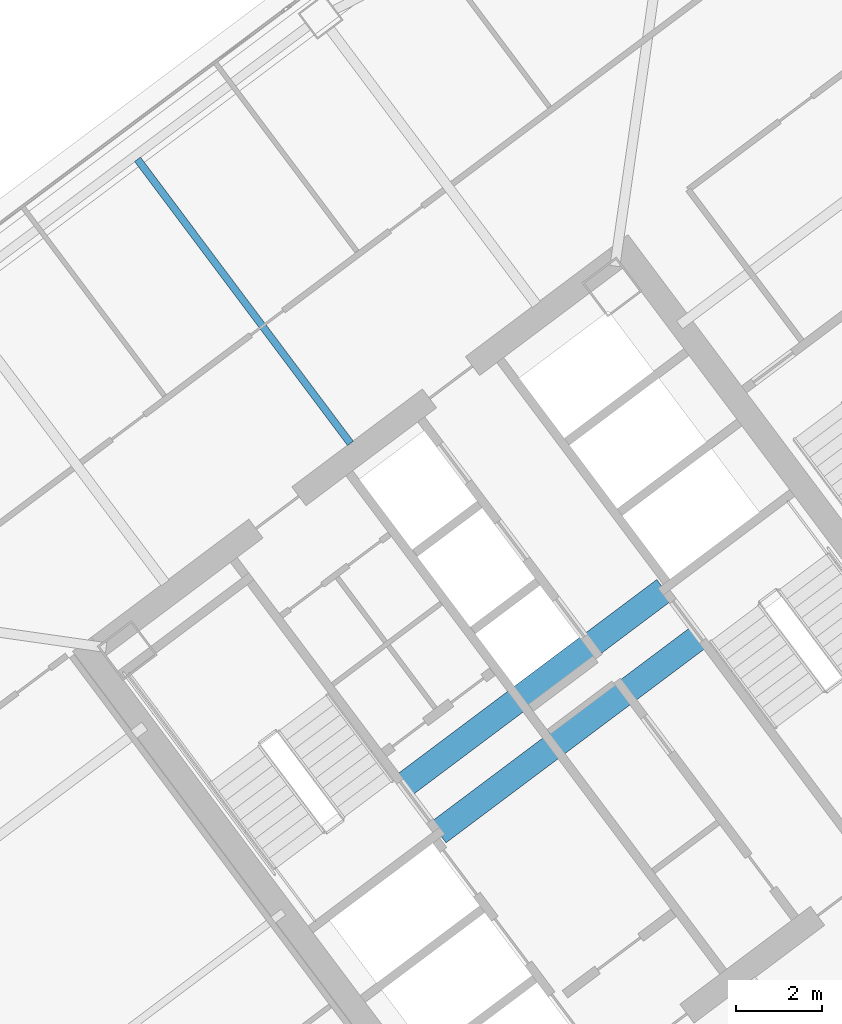
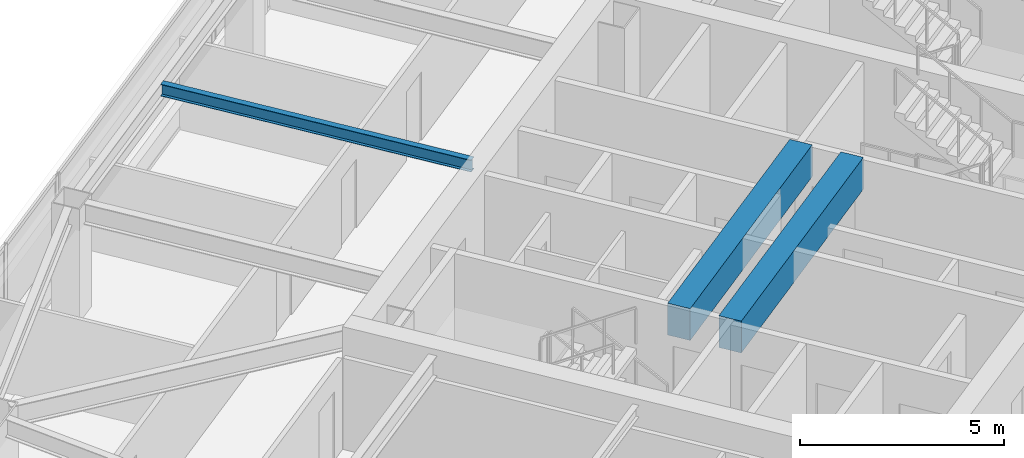
# One storey, part 23 of 43: 3 beams.
"""IFC4 building model written with IfcOpenShell, lengths in metres."""

from ifc_helpers import new_model, si_unit, direction, frame, origin, origin_2d, place, context, subcontext, project, spatial, rectangle, i_section, extrude, material, material_profile, profile_set, type_object, element, save


model = new_model("IFC4")

# Units and contexts
model_context = context("Model", 3, precision=1e-05, world=origin(), true_north=direction((0.0, 1.0)))
body_context = subcontext(model_context, "Body", "Model", "MODEL_VIEW")
ifc_project = project(units=[si_unit("LENGTHUNIT", "METRE"), si_unit("AREAUNIT", "SQUARE_METRE"), si_unit("VOLUMEUNIT", "CUBIC_METRE"), si_unit("PLANEANGLEUNIT", "RADIAN"), si_unit("MASSUNIT", "GRAM", prefix="KILO")], contexts=[model_context])

# Site, building, storey
site_placement = place(None, origin())
site = spatial("IfcSite", under=ifc_project, at=site_placement, CompositionType="ELEMENT")
building_placement = place(site_placement, origin())
building = spatial("IfcBuilding", under=site, at=building_placement, Name="Tashvorn Skyway Center", CompositionType="ELEMENT")
storey_placement = place(building_placement, frame((0.0, 0.0, 160.550048828125)))
storey = spatial("IfcBuildingStorey", under=building, at=storey_placement, Name="L43", CompositionType="ELEMENT", Elevation=160.550048828125)

# Beams
ifc_material_1 = material(Name="Steel ASTM A992 Grade 50", Category="steel")
ifc_material_profile_1 = material_profile(ifc_material_1, i_section(OverallWidth=0.1708984375, OverallDepth=0.35498046875, WebThickness=0.007080078125, FlangeThickness=0.01171875, at=origin_2d()), Name="W14X34")
ifc_profile_set_1 = profile_set([ifc_material_profile_1], Name="Steel ASTM A992 Grade 50")
beam_type_1 = type_object("IfcBeamType", Name="BM-JOIST-W14X34", PredefinedType="JOIST", material=ifc_profile_set_1)
beam_placement = place(storey_placement, frame((109.325927734375, 38.23193359375, 3.1923828125), z_axis=(-0.59999527236, 0.800003545708, 0.0), x_axis=(-0.800003545708, -0.59999527236, 0.0)))
element("IfcBeam", 1, at=beam_placement, inside=storey, type_object=beam_type_1, Name="Tower 2 L43 Secondary Composite Joist JN", PredefinedType="JOIST", context=body_context, shape_type="SweptSolid", body=[
    extrude(i_section(OverallWidth=0.1708984375, OverallDepth=0.35498046875, WebThickness=0.007080078125, FlangeThickness=0.01171875, at=origin_2d()), origin(), (0.0, 0.0, 1.0), 8.2626953125),
])
ifc_material_2 = material(Name="Concrete C60/75", Category="concrete")
ifc_material_profile_2 = material_profile(ifc_material_2, rectangle(XDim=0.60009765625, YDim=0.949951171875, at=origin_2d()), Name="RCB600x950")
ifc_profile_set_2 = profile_set([ifc_material_profile_2], Name="Concrete C60/75")
beam_type_2 = type_object("IfcBeamType", Name="BM-LINTEL-RCB600x950", PredefinedType="LINTEL", material=ifc_profile_set_2)
for number, where, z_axis, x_axis, name in (
    (2, (110.552001953125, 30.263916015625, 2.89501953125), (0.8, 0.6, 0.0), (-0.6, 0.8, 0.0), "Tower 2 L43 Core Coupling Beam CN"),
    (3, (111.367919921875, 29.176025390625, 2.89501953125), (0.8, 0.6, 0.0), (-0.6, 0.8, 0.0), "Tower 2 L43 Core Coupling Beam CS"),
):
    element("IfcBeam", number, at=place(storey_placement, frame(where, z_axis=z_axis, x_axis=x_axis)), inside=storey, type_object=beam_type_2, Name=name, PredefinedType="LINTEL", context=body_context, shape_type="SweptSolid", body=[
        extrude(rectangle(XDim=0.60009765625, YDim=0.949951171875, at=origin_2d()), origin(), (0.0, 0.0, 1.0), 7.60009765625),
    ])

save(model, "model.ifc")
